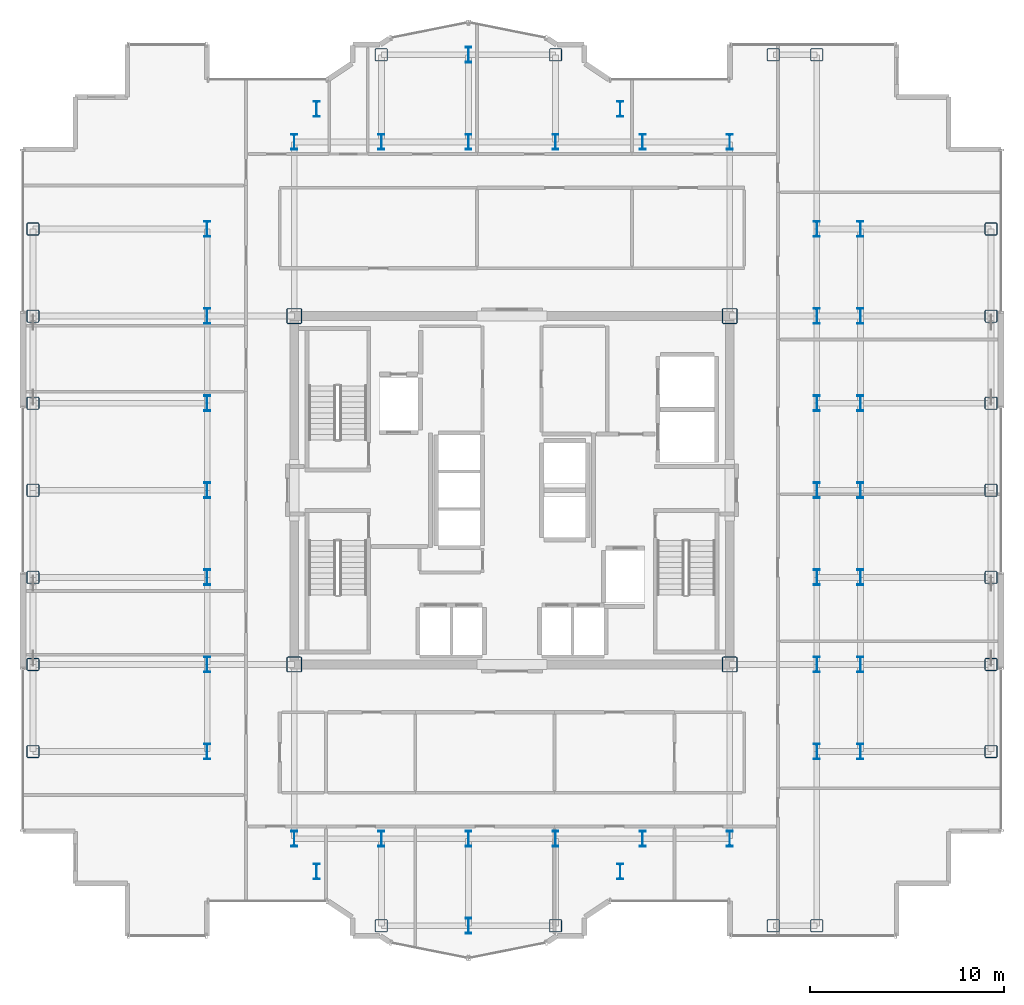
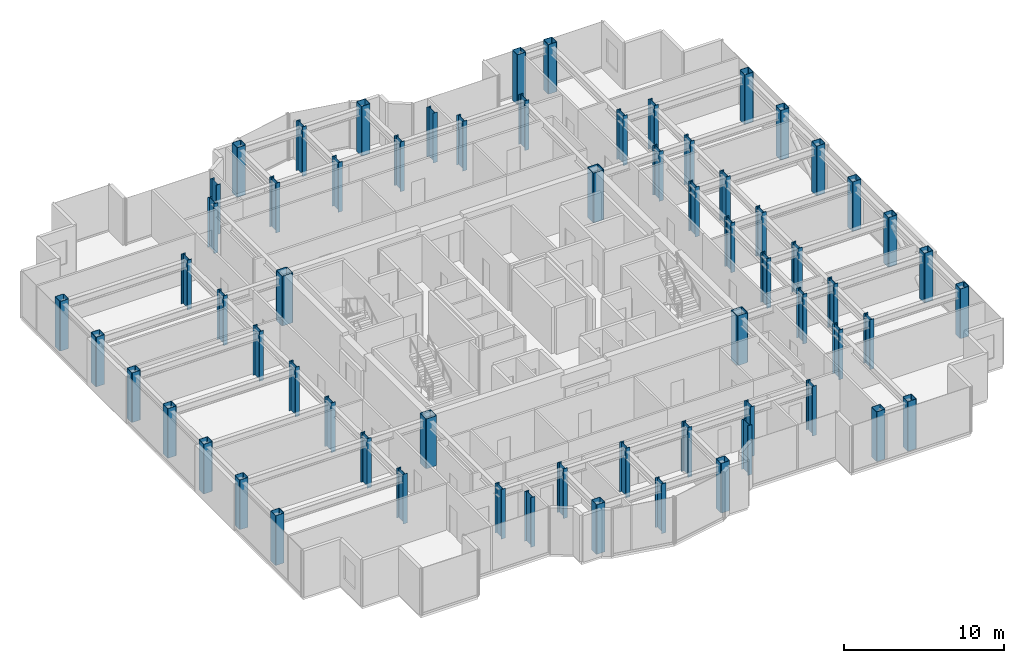
# One storey, part 1 of 21: 65 columns.
"""IFC4 building model written with IfcOpenShell, lengths in metres."""

from ifc_helpers import new_model, si_unit, direction, frame, origin, origin_2d, place, context, subcontext, project, spatial, hollow_rectangle, i_section, extrude, source, transform, mapped, material, material_profile, profile_set, type_object, element, save


model = new_model("IFC4")

# Units and contexts
model_context = context("Model", 3, precision=1e-05, world=origin(), true_north=direction((0.0, 1.0)))
body_context = subcontext(model_context, "Body", "Model", "MODEL_VIEW")
ifc_project = project(units=[si_unit("LENGTHUNIT", "METRE"), si_unit("AREAUNIT", "SQUARE_METRE"), si_unit("VOLUMEUNIT", "CUBIC_METRE"), si_unit("PLANEANGLEUNIT", "RADIAN"), si_unit("MASSUNIT", "GRAM", prefix="KILO")], contexts=[model_context])

# Site, building, storey
site_placement = place(None, origin())
site = spatial("IfcSite", under=ifc_project, at=site_placement, CompositionType="ELEMENT")
building_placement = place(site_placement, origin())
building = spatial("IfcBuilding", under=site, at=building_placement, Name="Nefas-Gora Pilgrimage Tower", CompositionType="ELEMENT")
storey_placement = place(building_placement, frame((0.0, 0.0, 229.39990234375)))
storey = spatial("IfcBuildingStorey", under=building, at=storey_placement, Name="L57", CompositionType="ELEMENT", Elevation=229.39990234375)

# Columns
ifc_material = material(Name="Steel S460", Category="steel")
ifc_material_profile_1 = material_profile(ifc_material, i_section(OverallWidth=0.302978515625, OverallDepth=0.81396484375, WebThickness=0.02099609375, FlangeThickness=0.0400390625, FilletRadius=0.030029296875, at=origin_2d()), Name="HEM 800")
ifc_profile_set_1 = profile_set([ifc_material_profile_1], Name="Steel S460")
column_type_1 = type_object("IfcColumnType", Name="COL-WEB-HEM800", PredefinedType="COLUMN", material=ifc_profile_set_1)
shared_shape_1 = source(origin(), body_context, "Body", "SweptSolid", [
    extrude(i_section(OverallWidth=0.302978515625, OverallDepth=0.81396484375, WebThickness=0.02099609375, FlangeThickness=0.0400390625, FilletRadius=0.030029296875, at=origin_2d()), origin(), (0.0, 0.0, 1.0), 3.800048828125),
])
for number, where, z_axis, x_axis, name in (
    (1, (-15.75, -13.5, 0.0), (0.0, 0.0, 1.0), (1.0, 0.0, 0.0), "L57 Tower Column CW-02.8"),
    (2, (-15.75, -9.0, 0.0), (0.0, 0.0, 1.0), (1.0, 0.0, 0.0), "L57 Tower Column CW-02.9"),
    (3, (-15.75, -4.5, 0.0), (0.0, 0.0, 1.0), (1.0, 0.0, 0.0), "L57 Tower Column CW-02.10"),
    (4, (-15.75, 0.0, 0.0), (0.0, 0.0, 1.0), (1.0, 0.0, 0.0), "L57 Tower Column CW-02.11"),
    (5, (-15.75, 4.5, 0.0), (0.0, 0.0, 1.0), (1.0, 0.0, 0.0), "L57 Tower Column CW-02.12"),
    (6, (-15.75, 9.0, 0.0), (0.0, 0.0, 1.0), (1.0, 0.0, 0.0), "L57 Tower Column CW-02.13"),
    (7, (-15.75, 13.5, 0.0), (0.0, 0.0, 1.0), (1.0, 0.0, 0.0), "L57 Tower Column CW-02.14"),
    (8, (-11.25, -18.0, 0.0), (0.0, 0.0, 1.0), (1.0, 0.0, 0.0), "L57 Tower Column CW-02.15"),
    (9, (-11.25, 18.0, 0.0), (0.0, 0.0, 1.0), (1.0, 0.0, 0.0), "L57 Tower Column CW-02.18"),
    (10, (-10.091064453125, -19.696044921875, 0.0), (0.0, 0.0, 1.0), (1.0, 0.0, 0.0), "L57 Tower Column CW-02.19"),
    (11, (-10.091064453125, 19.696044921875, 0.0), (0.0, 0.0, 1.0), (1.0, 0.0, 0.0), "L57 Tower Column CW-02.20"),
    (12, (-6.75, -18.0, 0.0), (0.0, 0.0, 1.0), (1.0, 0.0, 0.0), "L57 Tower Column CW-02.22"),
    (13, (-6.75, 18.0, 0.0), (0.0, 0.0, 1.0), (1.0, 0.0, 0.0), "L57 Tower Column CW-02.23"),
    (14, (-2.25, -22.5, 0.0), (0.0, 0.0, 1.0), (1.0, 0.0, 0.0), "L57 Tower Column CW-02.25"),
    (15, (-2.25, -18.0, 0.0), (0.0, 0.0, 1.0), (1.0, 0.0, 0.0), "L57 Tower Column CW-02.26"),
    (16, (-2.25, 18.0, 0.0), (0.0, 0.0, 1.0), (1.0, 0.0, 0.0), "L57 Tower Column CW-02.27"),
    (17, (-2.25, 22.5, 0.0), (0.0, 0.0, 1.0), (1.0, 0.0, 0.0), "L57 Tower Column CW-02.28"),
    (18, (2.25, -18.0, 0.0), (0.0, 0.0, 1.0), (1.0, 0.0, 0.0), "L57 Tower Column CW-02.30"),
    (19, (2.25, 18.0, 0.0), (0.0, 0.0, 1.0), (1.0, 0.0, 0.0), "L57 Tower Column CW-02.31"),
    (20, (5.591064453125, -19.696044921875, 0.0), (0.0, 0.0, 1.0), (1.0, 0.0, 0.0), "L57 Tower Column CW-02.33"),
    (21, (5.591064453125, 19.696044921875, 0.0), (0.0, 0.0, 1.0), (1.0, 0.0, 0.0), "L57 Tower Column CW-02.34"),
    (22, (6.75, -18.0, 0.0), (0.0, 0.0, 1.0), (1.0, 0.0, 0.0), "L57 Tower Column CW-02.35"),
    (23, (6.75, 18.0, 0.0), (0.0, 0.0, 1.0), (1.0, 0.0, 0.0), "L57 Tower Column CW-02.36"),
    (24, (11.25, -18.0, 0.0), (0.0, 0.0, 1.0), (1.0, 0.0, 0.0), "L57 Tower Column CW-02.37"),
    (25, (11.25, 18.0, 0.0), (0.0, 0.0, 1.0), (1.0, 0.0, 0.0), "L57 Tower Column CW-02.40"),
    (26, (15.75, -13.5, 0.0), (0.0, 0.0, 1.0), (1.0, 0.0, 0.0), "L57 Tower Column CW-02.44"),
    (27, (15.75, -9.0, 0.0), (0.0, 0.0, 1.0), (1.0, 0.0, 0.0), "L57 Tower Column CW-02.45"),
    (28, (15.75, -4.5, 0.0), (0.0, 0.0, 1.0), (1.0, 0.0, 0.0), "L57 Tower Column CW-02.46"),
    (29, (15.75, 0.0, 0.0), (0.0, 0.0, 1.0), (1.0, 0.0, 0.0), "L57 Tower Column CW-02.47"),
    (30, (15.75, 4.5, 0.0), (0.0, 0.0, 1.0), (1.0, 0.0, 0.0), "L57 Tower Column CW-02.48"),
    (31, (15.75, 9.0, 0.0), (0.0, 0.0, 1.0), (1.0, 0.0, 0.0), "L57 Tower Column CW-02.49"),
    (32, (15.75, 13.5, 0.0), (0.0, 0.0, 1.0), (1.0, 0.0, 0.0), "L57 Tower Column CW-02.50"),
    (33, (18.0, -13.5, 0.0), (0.0, 0.0, 1.0), (1.0, 0.0, 0.0), "L57 Tower Column CW-02.52"),
    (34, (18.0, -9.0, 0.0), (0.0, 0.0, 1.0), (1.0, 0.0, 0.0), "L57 Tower Column CW-02.53"),
    (35, (18.0, -4.5, 0.0), (0.0, 0.0, 1.0), (1.0, 0.0, 0.0), "L57 Tower Column CW-02.54"),
    (36, (18.0, 0.0, 0.0), (0.0, 0.0, 1.0), (1.0, 0.0, 0.0), "L57 Tower Column CW-02.55"),
    (37, (18.0, 4.5, 0.0), (0.0, 0.0, 1.0), (1.0, 0.0, 0.0), "L57 Tower Column CW-02.56"),
    (38, (18.0, 9.0, 0.0), (0.0, 0.0, 1.0), (1.0, 0.0, 0.0), "L57 Tower Column CW-02.57"),
    (39, (18.0, 13.5, 0.0), (0.0, 0.0, 1.0), (1.0, 0.0, 0.0), "L57 Tower Column CW-02.58"),
):
    element("IfcColumn", number, at=place(storey_placement, frame(where, z_axis=z_axis, x_axis=x_axis)), inside=storey, type_object=column_type_1, Name=name, PredefinedType="COLUMN", context=body_context, shape_type="MappedRepresentation", body=[
        mapped(shared_shape_1, transform((0.0, 0.0, 0.0), x_axis=(1.0, 0.0, 0.0), y_axis=(0.0, 1.0, 0.0), z_axis=(0.0, 0.0, 1.0), scale=1.0)),
    ])
ifc_material_profile_2 = material_profile(ifc_material, hollow_rectangle(XDim=0.800048828125, YDim=0.800048828125, WallThickness=0.0400390625, InnerFilletRadius=0.0400390625, OuterFilletRadius=0.080078125, at=origin_2d()), Name="BOX 800x800x40")
ifc_profile_set_2 = profile_set([ifc_material_profile_2], Name="Steel S460")
column_type_2 = type_object("IfcColumnType", Name="COL-CORE-800", PredefinedType="COLUMN", material=ifc_profile_set_2)
shared_shape_2 = source(origin(), body_context, "Body", "SweptSolid", [
    extrude(hollow_rectangle(XDim=0.800048828125, YDim=0.800048828125, WallThickness=0.0400390625, InnerFilletRadius=0.0400390625, OuterFilletRadius=0.080078125, at=origin_2d()), origin(), (0.0, 0.0, 1.0), 3.800048828125),
])
for number, where, z_axis, x_axis, name in (
    (40, (-11.25, -9.0, 0.0), (0.0, 0.0, 1.0), (1.0, 0.0, 0.0), "L57 Tower Column CC-Z2.16"),
    (41, (-11.25, 9.0, 0.0), (0.0, 0.0, 1.0), (1.0, 0.0, 0.0), "L57 Tower Column CC-Z2.17"),
    (42, (11.25, -9.0, 0.0), (0.0, 0.0, 1.0), (1.0, 0.0, 0.0), "L57 Tower Column CC-Z2.38"),
    (43, (11.25, 9.0, 0.0), (0.0, 0.0, 1.0), (1.0, 0.0, 0.0), "L57 Tower Column CC-Z2.39"),
):
    element("IfcColumn", number, at=place(storey_placement, frame(where, z_axis=z_axis, x_axis=x_axis)), inside=storey, type_object=column_type_2, Name=name, PredefinedType="COLUMN", context=body_context, shape_type="MappedRepresentation", body=[
        mapped(shared_shape_2, transform((0.0, 0.0, 0.0), x_axis=(1.0, 0.0, 0.0), y_axis=(0.0, 1.0, 0.0), z_axis=(0.0, 0.0, 1.0), scale=1.0)),
    ])
ifc_material_profile_3 = material_profile(ifc_material, hollow_rectangle(XDim=0.64990234375, YDim=0.64990234375, WallThickness=0.031982421875, InnerFilletRadius=0.031982421875, OuterFilletRadius=0.06396484375, at=origin_2d()), Name="BOX 650x650x32")
ifc_profile_set_3 = profile_set([ifc_material_profile_3], Name="Steel S460")
column_type_3 = type_object("IfcColumnType", Name="COL-TUBE-650", PredefinedType="COLUMN", material=ifc_profile_set_3)
shared_shape_3 = source(origin(), body_context, "Body", "SweptSolid", [
    extrude(hollow_rectangle(XDim=0.64990234375, YDim=0.64990234375, WallThickness=0.031982421875, InnerFilletRadius=0.031982421875, OuterFilletRadius=0.06396484375, at=origin_2d()), origin(), (0.0, 0.0, 1.0), 3.800048828125),
])
for number, where, z_axis, x_axis, name in (
    (44, (-24.75, -13.5, 0.0), (0.0, 0.0, 1.0), (1.0, 0.0, 0.0), "L57 Tower Column C-Z3.1"),
    (45, (-24.75, -9.0, 0.0), (0.0, 0.0, 1.0), (1.0, 0.0, 0.0), "L57 Tower Column C-Z3.2"),
    (46, (-24.75, -4.5, 0.0), (0.0, 0.0, 1.0), (1.0, 0.0, 0.0), "L57 Tower Column C-Z3.3"),
    (47, (-24.75, 0.0, 0.0), (0.0, 0.0, 1.0), (1.0, 0.0, 0.0), "L57 Tower Column C-Z3.4"),
    (48, (-24.75, 4.5, 0.0), (0.0, 0.0, 1.0), (1.0, 0.0, 0.0), "L57 Tower Column C-Z3.5"),
    (49, (-24.75, 9.0, 0.0), (0.0, 0.0, 1.0), (1.0, 0.0, 0.0), "L57 Tower Column C-Z3.6"),
    (50, (-24.75, 13.5, 0.0), (0.0, 0.0, 1.0), (1.0, 0.0, 0.0), "L57 Tower Column C-Z3.7"),
    (51, (-6.75, -22.5, 0.0), (0.0, 0.0, 1.0), (1.0, 0.0, 0.0), "L57 Tower Column C-Z3.21"),
    (52, (-6.75, 22.5, 0.0), (0.0, 0.0, 1.0), (1.0, 0.0, 0.0), "L57 Tower Column C-Z3.24"),
    (53, (2.25, -22.5, 0.0), (0.0, 0.0, 1.0), (1.0, 0.0, 0.0), "L57 Tower Column C-Z3.29"),
    (54, (2.25, 22.5, 0.0), (0.0, 0.0, 1.0), (1.0, 0.0, 0.0), "L57 Tower Column C-Z3.32"),
    (55, (13.5, -22.5, 0.0), (0.0, 0.0, 1.0), (1.0, 0.0, 0.0), "L57 Tower Column C-Z3.41"),
    (56, (13.5, 22.5, 0.0), (0.0, 0.0, 1.0), (1.0, 0.0, 0.0), "L57 Tower Column C-Z3.42"),
    (57, (15.75, -22.5, 0.0), (0.0, 0.0, 1.0), (1.0, 0.0, 0.0), "L57 Tower Column C-Z3.43"),
    (58, (15.75, 22.5, 0.0), (0.0, 0.0, 1.0), (1.0, 0.0, 0.0), "L57 Tower Column C-Z3.51"),
    (59, (24.75, -13.5, 0.0), (0.0, 0.0, 1.0), (1.0, 0.0, 0.0), "L57 Tower Column C-Z3.59"),
    (60, (24.75, -9.0, 0.0), (0.0, 0.0, 1.0), (1.0, 0.0, 0.0), "L57 Tower Column C-Z3.60"),
    (61, (24.75, -4.5, 0.0), (0.0, 0.0, 1.0), (1.0, 0.0, 0.0), "L57 Tower Column C-Z3.61"),
    (62, (24.75, 0.0, 0.0), (0.0, 0.0, 1.0), (1.0, 0.0, 0.0), "L57 Tower Column C-Z3.62"),
    (63, (24.75, 4.5, 0.0), (0.0, 0.0, 1.0), (1.0, 0.0, 0.0), "L57 Tower Column C-Z3.63"),
    (64, (24.75, 9.0, 0.0), (0.0, 0.0, 1.0), (1.0, 0.0, 0.0), "L57 Tower Column C-Z3.64"),
    (65, (24.75, 13.5, 0.0), (0.0, 0.0, 1.0), (1.0, 0.0, 0.0), "L57 Tower Column C-Z3.65"),
):
    element("IfcColumn", number, at=place(storey_placement, frame(where, z_axis=z_axis, x_axis=x_axis)), inside=storey, type_object=column_type_3, Name=name, PredefinedType="COLUMN", context=body_context, shape_type="MappedRepresentation", body=[
        mapped(shared_shape_3, transform((0.0, 0.0, 0.0), x_axis=(1.0, 0.0, 0.0), y_axis=(0.0, 1.0, 0.0), z_axis=(0.0, 0.0, 1.0), scale=1.0)),
    ])

save(model, "model.ifc")
